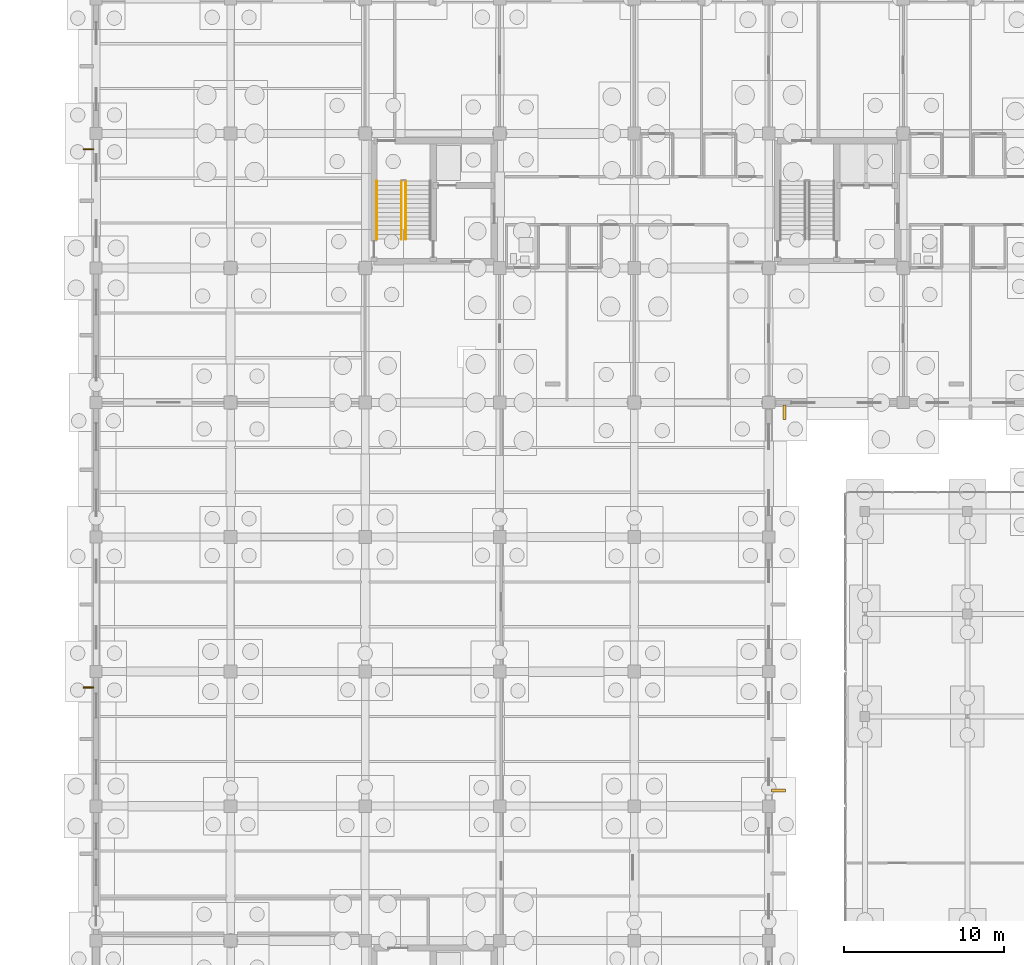
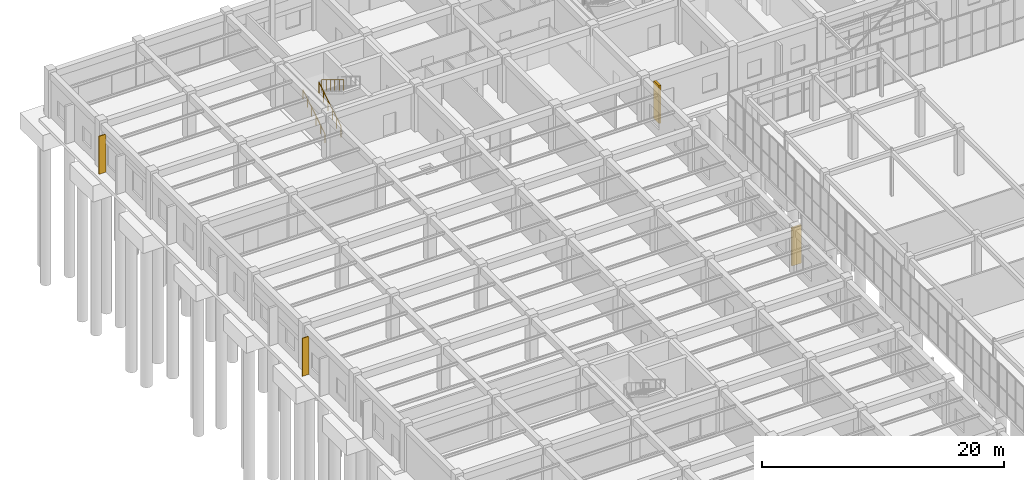
# One storey, part 183 of 192: 4 shading devices, 3 railings.
"""IFC4 building model written with IfcOpenShell, lengths in metres."""

from ifc_helpers import new_model, si_unit, direction, frame, origin, origin_2d, place, context, subcontext, project, spatial, rectangle, circle, extrude, material, type_object, element, save


model = new_model("IFC4")

# Units and contexts
model_context = context("Model", 3, precision=1e-05, world=origin(), true_north=direction((0.0, 1.0)))
body_context = subcontext(model_context, "Body", "Model", "MODEL_VIEW")
ifc_project = project(units=[si_unit("LENGTHUNIT", "METRE"), si_unit("AREAUNIT", "SQUARE_METRE"), si_unit("VOLUMEUNIT", "CUBIC_METRE"), si_unit("PLANEANGLEUNIT", "RADIAN"), si_unit("MASSUNIT", "GRAM", prefix="KILO")], contexts=[model_context])

# Site, building, storey
site_placement = place(None, origin())
site = spatial("IfcSite", under=ifc_project, at=site_placement, CompositionType="ELEMENT")
building_placement = place(site_placement, origin())
building = spatial("IfcBuilding", under=site, at=building_placement, Name="Trelvath General Hospital", CompositionType="ELEMENT")
storey_placement = place(building_placement, origin())
storey = spatial("IfcBuildingStorey", under=building, at=storey_placement, Name="L00", CompositionType="ELEMENT", Elevation=0.0)

# Shading devices
ifc_material_1 = material(Name="Precast concrete C40/50", Category="concrete")
shading_device_type_1 = type_object("IfcShadingDeviceType", Name="BriseSoleil PrecastFin900", PredefinedType="JALOUSIE", material=ifc_material_1)
for number, where, z_axis, x_axis, name in (
    (1, (42.60498046875, 68.18701171875, 0.0), (0.0, 0.0, 1.0), (1.0, 0.0, 0.0), "Solar Brise-Soleil Screen L00-6"),
    (2, (42.987060546875, 91.794921875, 0.0), (0.0, 0.0, 1.0), (0.0, -1.0, 0.0), "Solar Brise-Soleil Screen L00-7"),
):
    element("IfcShadingDevice", number, at=place(storey_placement, frame(where, z_axis=z_axis, x_axis=x_axis)), inside=storey, type_object=shading_device_type_1, Name=name, PredefinedType="JALOUSIE", context=body_context, shape_type="SweptSolid", body=[
        extrude(rectangle(XDim=0.89990234375, YDim=0.179931640625, at=origin_2d()), origin(), (0.0, 0.0, 1.0), 3.820068359375),
    ])

# Railings
ifc_material_2 = material(Name="Architectural painted steel", Category="steel")
railing_type_1 = type_object("IfcRailingType", Name="Guardrail Terrace1150", PredefinedType="GUARDRAIL", material=ifc_material_2)
railing_1_placement = place(storey_placement, frame((19.330078125, 106.239990234375, 2.5712890625)))
element("IfcRailing", 3, at=railing_1_placement, inside=storey, type_object=railing_type_1, Name="Stair Rail ST3 L00 F2 L 98", PredefinedType="GUARDRAIL", context=body_context, shape_type="SweptSolid", body=[
    extrude(circle(Radius=0.02392578125, at=origin_2d()), frame((0.0, 0.0, 1.076171875), z_axis=(0.0, -0.852824790078, 0.522197163366), x_axis=(1.0, 0.0, 0.0)), (0.0, 0.0, 1.0), 4.26806640625),
    extrude(circle(Radius=0.02099609375, at=origin_2d()), origin(), (0.0, 0.0, 1.0), 1.050048828125),
    extrude(circle(Radius=0.02099609375, at=origin_2d()), frame((0.0, -0.72802734375, 0.44580078125)), (0.0, 0.0, 1.0), 1.050048828125),
    extrude(circle(Radius=0.02099609375, at=origin_2d()), frame((0.0, -1.4560546875, 0.8916015625)), (0.0, 0.0, 1.0), 1.050048828125),
    extrude(circle(Radius=0.02099609375, at=origin_2d()), frame((0.0, -2.183837890625, 1.337158203125)), (0.0, 0.0, 1.0), 1.050048828125),
    extrude(circle(Radius=0.02099609375, at=origin_2d()), frame((0.0, -2.911865234375, 1.782958984375)), (0.0, 0.0, 1.0), 1.050048828125),
    extrude(circle(Radius=0.02099609375, at=origin_2d()), frame((0.0, -3.639892578125, 2.228759765625)), (0.0, 0.0, 1.0), 1.050048828125),
])
railing_2_placement = place(storey_placement, frame((19.070068359375, 102.60009765625, 0.17138671875)))
element("IfcRailing", 4, at=railing_2_placement, inside=storey, type_object=railing_type_1, Name="Stair Rail ST3 L00 F1 R 99", PredefinedType="GUARDRAIL", context=body_context, shape_type="SweptSolid", body=[
    extrude(circle(Radius=0.02392578125, at=origin_2d()), frame((0.0, 0.0, 1.076171875), z_axis=(0.0, 0.852850264322, 0.5221555579), x_axis=(-1.0, 0.0, 0.0)), (0.0, 0.0, 1.0), 4.267822265625),
    extrude(circle(Radius=0.02099609375, at=origin_2d()), origin(), (0.0, 0.0, 1.0), 1.050048828125),
    extrude(circle(Radius=0.02099609375, at=origin_2d()), frame((0.0, 0.72802734375, 0.44580078125)), (0.0, 0.0, 1.0), 1.050048828125),
    extrude(circle(Radius=0.02099609375, at=origin_2d()), frame((0.0, 1.4560546875, 0.891357421875)), (0.0, 0.0, 1.0), 1.050048828125),
    extrude(circle(Radius=0.02099609375, at=origin_2d()), frame((0.0, 2.183837890625, 1.337158203125)), (0.0, 0.0, 1.0), 1.050048828125),
    extrude(circle(Radius=0.02099609375, at=origin_2d()), frame((0.0, 2.911865234375, 1.78271484375)), (0.0, 0.0, 1.0), 1.050048828125),
    extrude(circle(Radius=0.02099609375, at=origin_2d()), frame((0.0, 3.639892578125, 2.228515625)), (0.0, 0.0, 1.0), 1.050048828125),
])
ifc_material_3 = material(Name="Brushed stainless steel", Category="steel")
railing_type_2 = type_object("IfcRailingType", Name="Handrail Stair900", PredefinedType="HANDRAIL", material=ifc_material_3)
railing_3_placement = place(storey_placement, frame((17.530029296875, 102.60009765625, 0.17138671875)))
element("IfcRailing", 5, at=railing_3_placement, inside=storey, type_object=railing_type_2, Name="Stair Rail ST3 L00 F1 L 97", PredefinedType="HANDRAIL", context=body_context, shape_type="SweptSolid", body=[
    extrude(circle(Radius=0.02392578125, at=origin_2d()), frame((0.0, 0.0, 0.8759765625), z_axis=(0.0, 0.852850264322, 0.5221555579), x_axis=(-1.0, 0.0, 0.0)), (0.0, 0.0, 1.0), 4.267822265625),
    extrude(circle(Radius=0.02099609375, at=origin_2d()), origin(), (0.0, 0.0, 1.0), 0.849853515625),
    extrude(circle(Radius=0.02099609375, at=origin_2d()), frame((0.0, 0.72802734375, 0.44580078125)), (0.0, 0.0, 1.0), 0.849853515625),
    extrude(circle(Radius=0.02099609375, at=origin_2d()), frame((0.0, 1.4560546875, 0.891357421875)), (0.0, 0.0, 1.0), 0.849853515625),
    extrude(circle(Radius=0.02099609375, at=origin_2d()), frame((0.0, 2.183837890625, 1.337158203125)), (0.0, 0.0, 1.0), 0.849853515625),
    extrude(circle(Radius=0.02099609375, at=origin_2d()), frame((0.0, 2.911865234375, 1.78271484375)), (0.0, 0.0, 1.0), 0.849853515625),
    extrude(circle(Radius=0.02099609375, at=origin_2d()), frame((0.0, 3.639892578125, 2.228515625)), (0.0, 0.0, 1.0), 0.849853515625),
])

# Shading devices
ifc_material_4 = material(Name="Anodised aluminium", Category="aluminium")
shading_device_type_2 = type_object("IfcShadingDeviceType", Name="SolarScreen PerforatedAlu", PredefinedType="JALOUSIE", material=ifc_material_4)
for number, where, z_axis, x_axis, name in (
    (6, (-0.47998046875, 74.613037109375, 0.0), (0.0, 0.0, 1.0), (-1.0, 0.0, 0.0), "Solar Brise-Soleil Screen L00-3"),
    (7, (-0.47998046875, 108.212890625, 0.0), (0.0, 0.0, 1.0), (-1.0, 0.0, 0.0), "Solar Brise-Soleil Screen L00-4"),
):
    element("IfcShadingDevice", number, at=place(storey_placement, frame(where, z_axis=z_axis, x_axis=x_axis)), inside=storey, type_object=shading_device_type_2, Name=name, PredefinedType="JALOUSIE", context=body_context, shape_type="SweptSolid", body=[
        extrude(rectangle(XDim=0.64990234375, YDim=0.080078125, at=origin_2d()), origin(), (0.0, 0.0, 1.0), 3.820068359375),
    ])

save(model, "model.ifc")
